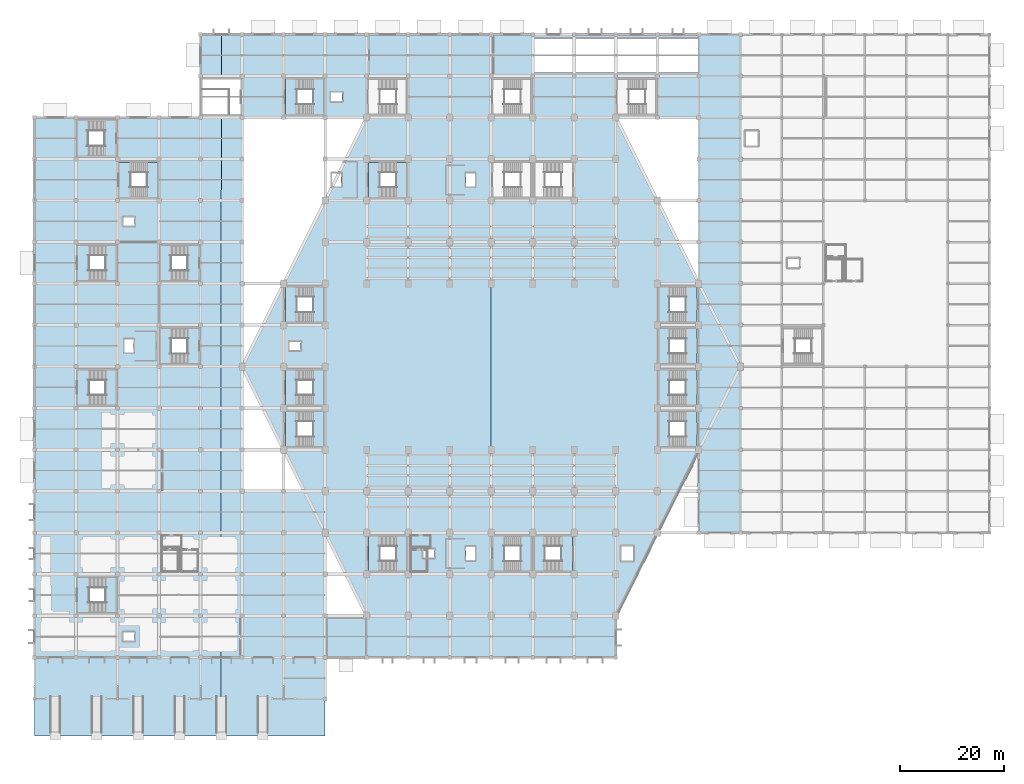
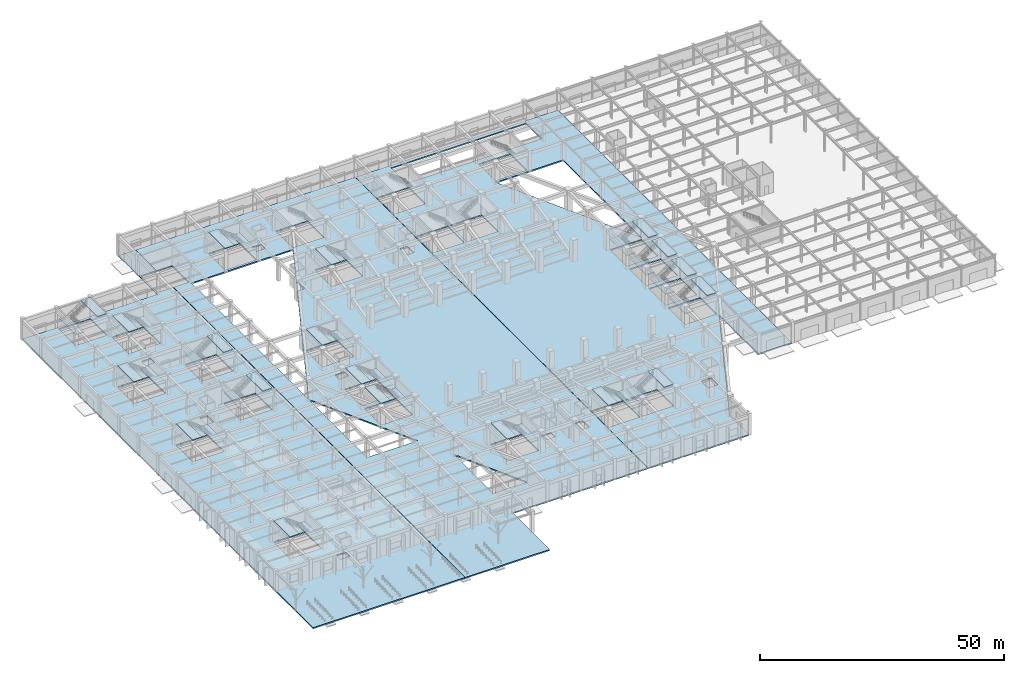
# One storey, part 15 of 39: 41 slabs, 19 elements without a shape of their own.
"""IFC4 building model written with IfcOpenShell, lengths in metres."""

from ifc_helpers import new_model, si_unit, direction, frame, origin, place, context, subcontext, project, spatial, polyline, outline, extrude, material, layer, layer_set, type_object, element, aggregate, save


model = new_model("IFC4")

# Units and contexts
model_context = context("Model", 3, precision=1e-05, world=origin(), true_north=direction((0.0, 1.0)))
body_context = subcontext(model_context, "Body", "Model", "MODEL_VIEW")
ifc_project = project(units=[si_unit("LENGTHUNIT", "METRE"), si_unit("AREAUNIT", "SQUARE_METRE"), si_unit("VOLUMEUNIT", "CUBIC_METRE"), si_unit("PLANEANGLEUNIT", "RADIAN"), si_unit("MASSUNIT", "GRAM", prefix="KILO")], contexts=[model_context])

# Site, building, storey
site_placement = place(None, origin())
site = spatial("IfcSite", under=ifc_project, at=site_placement, CompositionType="ELEMENT")
building_placement = place(site_placement, origin())
building = spatial("IfcBuilding", under=site, at=building_placement, Name="Tazarka Park Arena", CompositionType="ELEMENT")
storey_placement = place(building_placement, origin())
storey = spatial("IfcBuildingStorey", under=building, at=storey_placement, Name="L00", CompositionType="ELEMENT", Elevation=0.0)

# Stair, slabs
ifc_material_1 = material(Name="Precast concrete C40/50", Category="concrete")
stair_type_1 = type_object("IfcStairType", Name="STR-2400", PredefinedType="HALF_TURN_STAIR", material=ifc_material_1)
stair_1_placement = place(storey_placement, origin())
stair_1 = element("IfcStair", 1, at=stair_1_placement, inside=storey, type_object=stair_type_1, Name="Stair ST01 L00", PredefinedType="HALF_TURN_STAIR")
ifc_material_2 = material(Name="Precast concrete C40/50", Category="concrete")
ifc_layer_1 = layer(ifc_material_2, 0.219970703125, Name="Precast concrete C40/50")
ifc_layer_set_1 = layer_set([ifc_layer_1], Name="Precast concrete C40/50")
slab_type_1 = type_object("IfcSlabType", Name="LND-02", PredefinedType="LANDING", material=ifc_layer_set_1)
slab_1_placement = place(storey_placement, frame((0.0, 0.0, 2.47998046875)))
slab_1 = element("IfcSlab", 2, at=slab_1_placement, type_object=slab_type_1, Name="ST01-L00 landing 1", PredefinedType="LANDING", context=body_context, shape_type="SweptSolid", body=[
    extrude(outline(polyline([(13.6650390625, 56.610107421875), (15.68994140625, 56.610107421875), (15.68994140625, 63.389892578125), (13.6650390625, 63.389892578125), (13.6650390625, 56.610107421875)])), origin(), (0.0, 0.0, 1.0), 0.219970703125),
])
slab_2_placement = place(storey_placement, frame((0.0, 0.0, 5.179931640625)))
slab_2 = element("IfcSlab", 3, at=slab_2_placement, type_object=slab_type_1, Name="ST01-L00 landing 2", PredefinedType="LANDING", context=body_context, shape_type="SweptSolid", body=[
    extrude(outline(polyline([(8.31005859375, 56.610107421875), (10.534912109375, 56.610107421875), (10.534912109375, 63.389892578125), (8.31005859375, 63.389892578125), (8.31005859375, 56.610107421875)])), origin(), (0.0, 0.0, 1.0), 0.219970703125),
])
aggregate(stair_1, [slab_1, slab_2])

stair_2_placement = place(storey_placement, origin())
stair_2 = element("IfcStair", 4, at=stair_2_placement, inside=storey, type_object=stair_type_1, Name="Stair ST02 L00", PredefinedType="HALF_TURN_STAIR")
slab_3_placement = place(storey_placement, frame((0.0, 0.0, 2.47998046875)))
slab_3 = element("IfcSlab", 5, at=slab_3_placement, type_object=slab_type_1, Name="ST02-L00 landing 1", PredefinedType="LANDING", context=body_context, shape_type="SweptSolid", body=[
    extrude(outline(polyline([(13.6650390625, 80.610107421875), (15.68994140625, 80.610107421875), (15.68994140625, 87.389892578125), (13.6650390625, 87.389892578125), (13.6650390625, 80.610107421875)])), origin(), (0.0, 0.0, 1.0), 0.219970703125),
])
slab_4_placement = place(storey_placement, frame((0.0, 0.0, 5.179931640625)))
slab_4 = element("IfcSlab", 6, at=slab_4_placement, type_object=slab_type_1, Name="ST02-L00 landing 2", PredefinedType="LANDING", context=body_context, shape_type="SweptSolid", body=[
    extrude(outline(polyline([(8.31005859375, 80.610107421875), (10.534912109375, 80.610107421875), (10.534912109375, 87.389892578125), (8.31005859375, 87.389892578125), (8.31005859375, 80.610107421875)])), origin(), (0.0, 0.0, 1.0), 0.219970703125),
])
aggregate(stair_2, [slab_3, slab_4])

stair_3_placement = place(storey_placement, origin())
stair_3 = element("IfcStair", 7, at=stair_3_placement, inside=storey, type_object=stair_type_1, Name="Stair ST03 L00", PredefinedType="HALF_TURN_STAIR")
slab_5_placement = place(storey_placement, frame((0.0, 0.0, 2.47998046875)))
slab_5 = element("IfcSlab", 8, at=slab_5_placement, type_object=slab_type_1, Name="ST03-L00 landing 1", PredefinedType="LANDING", context=body_context, shape_type="SweptSolid", body=[
    extrude(outline(polyline([(21.6650390625, 96.610107421875), (23.68994140625, 96.610107421875), (23.68994140625, 103.389892578125), (21.6650390625, 103.389892578125), (21.6650390625, 96.610107421875)])), origin(), (0.0, 0.0, 1.0), 0.219970703125),
])
slab_6_placement = place(storey_placement, frame((0.0, 0.0, 5.179931640625)))
slab_6 = element("IfcSlab", 9, at=slab_6_placement, type_object=slab_type_1, Name="ST03-L00 landing 2", PredefinedType="LANDING", context=body_context, shape_type="SweptSolid", body=[
    extrude(outline(polyline([(16.31005859375, 96.610107421875), (18.534912109375, 96.610107421875), (18.534912109375, 103.389892578125), (16.31005859375, 103.389892578125), (16.31005859375, 96.610107421875)])), origin(), (0.0, 0.0, 1.0), 0.219970703125),
])
aggregate(stair_3, [slab_5, slab_6])

stair_4_placement = place(storey_placement, origin())
stair_4 = element("IfcStair", 10, at=stair_4_placement, inside=storey, type_object=stair_type_1, Name="Stair ST05 L00", PredefinedType="HALF_TURN_STAIR")
slab_7_placement = place(storey_placement, frame((0.0, 0.0, 2.47998046875)))
slab_7 = element("IfcSlab", 11, at=slab_7_placement, type_object=slab_type_1, Name="ST05-L00 landing 1", PredefinedType="LANDING", context=body_context, shape_type="SweptSolid", body=[
    extrude(outline(polyline([(53.6650390625, 112.610107421875), (55.68994140625, 112.610107421875), (55.68994140625, 119.389892578125), (53.6650390625, 119.389892578125), (53.6650390625, 112.610107421875)])), origin(), (0.0, 0.0, 1.0), 0.219970703125),
])
slab_8_placement = place(storey_placement, frame((0.0, 0.0, 5.179931640625)))
slab_8 = element("IfcSlab", 12, at=slab_8_placement, type_object=slab_type_1, Name="ST05-L00 landing 2", PredefinedType="LANDING", context=body_context, shape_type="SweptSolid", body=[
    extrude(outline(polyline([(48.31005859375, 112.610107421875), (50.534912109375, 112.610107421875), (50.534912109375, 119.389892578125), (48.31005859375, 119.389892578125), (48.31005859375, 112.610107421875)])), origin(), (0.0, 0.0, 1.0), 0.219970703125),
])
aggregate(stair_4, [slab_7, slab_8])

stair_5_placement = place(storey_placement, origin())
stair_5 = element("IfcStair", 13, at=stair_5_placement, inside=storey, type_object=stair_type_1, Name="Stair ST09 L00", PredefinedType="HALF_TURN_STAIR")
slab_9_placement = place(storey_placement, frame((0.0, 0.0, 2.47998046875)))
slab_9 = element("IfcSlab", 14, at=slab_9_placement, type_object=slab_type_1, Name="ST09-L00 landing 1", PredefinedType="LANDING", context=body_context, shape_type="SweptSolid", body=[
    extrude(outline(polyline([(69.6650390625, 24.610107421875), (71.68994140625, 24.610107421875), (71.68994140625, 31.389892578125), (69.6650390625, 31.389892578125), (69.6650390625, 24.610107421875)])), origin(), (0.0, 0.0, 1.0), 0.219970703125),
])
slab_10_placement = place(storey_placement, frame((0.0, 0.0, 5.179931640625)))
slab_10 = element("IfcSlab", 15, at=slab_10_placement, type_object=slab_type_1, Name="ST09-L00 landing 2", PredefinedType="LANDING", context=body_context, shape_type="SweptSolid", body=[
    extrude(outline(polyline([(64.31005859375, 24.610107421875), (66.534912109375, 24.610107421875), (66.534912109375, 31.389892578125), (64.31005859375, 31.389892578125), (64.31005859375, 24.610107421875)])), origin(), (0.0, 0.0, 1.0), 0.219970703125),
])
aggregate(stair_5, [slab_9, slab_10])

stair_6_placement = place(storey_placement, origin())
stair_6 = element("IfcStair", 16, at=stair_6_placement, inside=storey, type_object=stair_type_1, Name="Stair ST11 L00", PredefinedType="HALF_TURN_STAIR")
slab_11_placement = place(storey_placement, frame((0.0, 0.0, 2.47998046875)))
slab_11 = element("IfcSlab", 17, at=slab_11_placement, type_object=slab_type_1, Name="ST11-L00 landing 1", PredefinedType="LANDING", context=body_context, shape_type="SweptSolid", body=[
    extrude(outline(polyline([(96.31005859375, 24.610107421875), (98.3349609375, 24.610107421875), (98.3349609375, 31.389892578125), (96.31005859375, 31.389892578125), (96.31005859375, 24.610107421875)])), origin(), (0.0, 0.0, 1.0), 0.219970703125),
])
slab_12_placement = place(storey_placement, frame((0.0, 0.0, 5.179931640625)))
slab_12 = element("IfcSlab", 18, at=slab_12_placement, type_object=slab_type_1, Name="ST11-L00 landing 2", PredefinedType="LANDING", context=body_context, shape_type="SweptSolid", body=[
    extrude(outline(polyline([(101.465087890625, 24.610107421875), (103.68994140625, 24.610107421875), (103.68994140625, 31.389892578125), (101.465087890625, 31.389892578125), (101.465087890625, 24.610107421875)])), origin(), (0.0, 0.0, 1.0), 0.219970703125),
])
aggregate(stair_6, [slab_11, slab_12])

stair_7_placement = place(storey_placement, origin())
stair_7 = element("IfcStair", 19, at=stair_7_placement, inside=storey, type_object=stair_type_1, Name="Stair ST12 L00", PredefinedType="HALF_TURN_STAIR")
slab_13_placement = place(storey_placement, frame((0.0, 0.0, 2.47998046875)))
slab_13 = element("IfcSlab", 20, at=slab_13_placement, type_object=slab_type_1, Name="ST12-L00 landing 1", PredefinedType="LANDING", context=body_context, shape_type="SweptSolid", body=[
    extrude(outline(polyline([(120.31005859375, 56.610107421875), (122.3349609375, 56.610107421875), (122.3349609375, 63.389892578125), (120.31005859375, 63.389892578125), (120.31005859375, 56.610107421875)])), origin(), (0.0, 0.0, 1.0), 0.219970703125),
])
slab_14_placement = place(storey_placement, frame((0.0, 0.0, 5.179931640625)))
slab_14 = element("IfcSlab", 21, at=slab_14_placement, type_object=slab_type_1, Name="ST12-L00 landing 2", PredefinedType="LANDING", context=body_context, shape_type="SweptSolid", body=[
    extrude(outline(polyline([(125.465087890625, 56.610107421875), (127.68994140625, 56.610107421875), (127.68994140625, 63.389892578125), (125.465087890625, 63.389892578125), (125.465087890625, 56.610107421875)])), origin(), (0.0, 0.0, 1.0), 0.219970703125),
])
aggregate(stair_7, [slab_13, slab_14])

stair_8_placement = place(storey_placement, origin())
stair_8 = element("IfcStair", 22, at=stair_8_placement, inside=storey, type_object=stair_type_1, Name="Stair ST13 L00", PredefinedType="HALF_TURN_STAIR")
slab_15_placement = place(storey_placement, frame((0.0, 0.0, 2.47998046875)))
slab_15 = element("IfcSlab", 23, at=slab_15_placement, type_object=slab_type_1, Name="ST13-L00 landing 1", PredefinedType="LANDING", context=body_context, shape_type="SweptSolid", body=[
    extrude(outline(polyline([(53.6650390625, 56.610107421875), (55.68994140625, 56.610107421875), (55.68994140625, 63.389892578125), (53.6650390625, 63.389892578125), (53.6650390625, 56.610107421875)])), origin(), (0.0, 0.0, 1.0), 0.219970703125),
])
slab_16_placement = place(storey_placement, frame((0.0, 0.0, 5.179931640625)))
slab_16 = element("IfcSlab", 24, at=slab_16_placement, type_object=slab_type_1, Name="ST13-L00 landing 2", PredefinedType="LANDING", context=body_context, shape_type="SweptSolid", body=[
    extrude(outline(polyline([(48.31005859375, 56.610107421875), (50.534912109375, 56.610107421875), (50.534912109375, 63.389892578125), (48.31005859375, 63.389892578125), (48.31005859375, 56.610107421875)])), origin(), (0.0, 0.0, 1.0), 0.219970703125),
])
aggregate(stair_8, [slab_15, slab_16])

stair_9_placement = place(storey_placement, origin())
stair_9 = element("IfcStair", 25, at=stair_9_placement, inside=storey, type_object=stair_type_1, Name="Stair ST14 L00", PredefinedType="HALF_TURN_STAIR")
slab_17_placement = place(storey_placement, frame((0.0, 0.0, 2.47998046875)))
slab_17 = element("IfcSlab", 26, at=slab_17_placement, type_object=slab_type_1, Name="ST14-L00 landing 1", PredefinedType="LANDING", context=body_context, shape_type="SweptSolid", body=[
    extrude(outline(polyline([(69.6650390625, 96.610107421875), (71.68994140625, 96.610107421875), (71.68994140625, 103.389892578125), (69.6650390625, 103.389892578125), (69.6650390625, 96.610107421875)])), origin(), (0.0, 0.0, 1.0), 0.219970703125),
])
slab_18_placement = place(storey_placement, frame((0.0, 0.0, 5.179931640625)))
slab_18 = element("IfcSlab", 27, at=slab_18_placement, type_object=slab_type_1, Name="ST14-L00 landing 2", PredefinedType="LANDING", context=body_context, shape_type="SweptSolid", body=[
    extrude(outline(polyline([(64.31005859375, 96.610107421875), (66.534912109375, 96.610107421875), (66.534912109375, 103.389892578125), (64.31005859375, 103.389892578125), (64.31005859375, 96.610107421875)])), origin(), (0.0, 0.0, 1.0), 0.219970703125),
])
aggregate(stair_9, [slab_17, slab_18])

stair_10_placement = place(storey_placement, origin())
stair_10 = element("IfcStair", 28, at=stair_10_placement, inside=storey, type_object=stair_type_1, Name="Stair ST16 L00", PredefinedType="HALF_TURN_STAIR")
slab_19_placement = place(storey_placement, frame((0.0, 0.0, 2.47998046875)))
slab_19 = element("IfcSlab", 29, at=slab_19_placement, type_object=slab_type_1, Name="ST16-L00 landing 1", PredefinedType="LANDING", context=body_context, shape_type="SweptSolid", body=[
    extrude(outline(polyline([(120.31005859375, 64.610107421875), (122.3349609375, 64.610107421875), (122.3349609375, 71.389892578125), (120.31005859375, 71.389892578125), (120.31005859375, 64.610107421875)])), origin(), (0.0, 0.0, 1.0), 0.219970703125),
])
slab_20_placement = place(storey_placement, frame((0.0, 0.0, 5.179931640625)))
slab_20 = element("IfcSlab", 30, at=slab_20_placement, type_object=slab_type_1, Name="ST16-L00 landing 2", PredefinedType="LANDING", context=body_context, shape_type="SweptSolid", body=[
    extrude(outline(polyline([(125.465087890625, 64.610107421875), (127.68994140625, 64.610107421875), (127.68994140625, 71.389892578125), (125.465087890625, 71.389892578125), (125.465087890625, 64.610107421875)])), origin(), (0.0, 0.0, 1.0), 0.219970703125),
])
aggregate(stair_10, [slab_19, slab_20])

stair_11_placement = place(storey_placement, origin())
stair_11 = element("IfcStair", 31, at=stair_11_placement, inside=storey, type_object=stair_type_1, Name="Stair ST17 L00", PredefinedType="HALF_TURN_STAIR")
slab_21_placement = place(storey_placement, frame((0.0, 0.0, 2.47998046875)))
slab_21 = element("IfcSlab", 32, at=slab_21_placement, type_object=slab_type_1, Name="ST17-L00 landing 1", PredefinedType="LANDING", context=body_context, shape_type="SweptSolid", body=[
    extrude(outline(polyline([(13.6650390625, 16.610107421875), (15.68994140625, 16.610107421875), (15.68994140625, 23.389892578125), (13.6650390625, 23.389892578125), (13.6650390625, 16.610107421875)])), origin(), (0.0, 0.0, 1.0), 0.219970703125),
])
slab_22_placement = place(storey_placement, frame((0.0, 0.0, 5.179931640625)))
slab_22 = element("IfcSlab", 33, at=slab_22_placement, type_object=slab_type_1, Name="ST17-L00 landing 2", PredefinedType="LANDING", context=body_context, shape_type="SweptSolid", body=[
    extrude(outline(polyline([(8.31005859375, 16.610107421875), (10.534912109375, 16.610107421875), (10.534912109375, 23.389892578125), (8.31005859375, 23.389892578125), (8.31005859375, 16.610107421875)])), origin(), (0.0, 0.0, 1.0), 0.219970703125),
])
aggregate(stair_11, [slab_21, slab_22])

ifc_material_3 = material(Name="Precast concrete C40/50", Category="concrete")
stair_type_2 = type_object("IfcStairType", Name="STR-1800", PredefinedType="HALF_TURN_STAIR", material=ifc_material_3)
stair_12_placement = place(storey_placement, origin())
stair_12 = element("IfcStair", 34, at=stair_12_placement, inside=storey, type_object=stair_type_2, Name="Vomitory Stair ST19 L00", PredefinedType="HALF_TURN_STAIR")
slab_23_placement = place(storey_placement, frame((0.0, 0.0, 2.47998046875)))
slab_23 = element("IfcSlab", 35, at=slab_23_placement, type_object=slab_type_1, Name="ST19-L00 landing 1", PredefinedType="LANDING", context=body_context, shape_type="SweptSolid", body=[
    extrude(outline(polyline([(53.6650390625, 48.610107421875), (55.68994140625, 48.610107421875), (55.68994140625, 55.389892578125), (53.6650390625, 55.389892578125), (53.6650390625, 48.610107421875)])), origin(), (0.0, 0.0, 1.0), 0.219970703125),
])
slab_24_placement = place(storey_placement, frame((0.0, 0.0, 5.179931640625)))
slab_24 = element("IfcSlab", 36, at=slab_24_placement, type_object=slab_type_1, Name="ST19-L00 landing 2", PredefinedType="LANDING", context=body_context, shape_type="SweptSolid", body=[
    extrude(outline(polyline([(48.31005859375, 48.610107421875), (50.534912109375, 48.610107421875), (50.534912109375, 55.389892578125), (48.31005859375, 55.389892578125), (48.31005859375, 48.610107421875)])), origin(), (0.0, 0.0, 1.0), 0.219970703125),
])
aggregate(stair_12, [slab_23, slab_24])

stair_13_placement = place(storey_placement, origin())
stair_13 = element("IfcStair", 37, at=stair_13_placement, inside=storey, type_object=stair_type_2, Name="Vomitory Stair ST20 L00", PredefinedType="HALF_TURN_STAIR")
slab_25_placement = place(storey_placement, frame((0.0, 0.0, 2.47998046875)))
slab_25 = element("IfcSlab", 38, at=slab_25_placement, type_object=slab_type_1, Name="ST20-L00 landing 1", PredefinedType="LANDING", context=body_context, shape_type="SweptSolid", body=[
    extrude(outline(polyline([(53.6650390625, 72.610107421875), (55.68994140625, 72.610107421875), (55.68994140625, 79.389892578125), (53.6650390625, 79.389892578125), (53.6650390625, 72.610107421875)])), origin(), (0.0, 0.0, 1.0), 0.219970703125),
])
slab_26_placement = place(storey_placement, frame((0.0, 0.0, 5.179931640625)))
slab_26 = element("IfcSlab", 39, at=slab_26_placement, type_object=slab_type_1, Name="ST20-L00 landing 2", PredefinedType="LANDING", context=body_context, shape_type="SweptSolid", body=[
    extrude(outline(polyline([(48.31005859375, 72.610107421875), (50.534912109375, 72.610107421875), (50.534912109375, 79.389892578125), (48.31005859375, 79.389892578125), (48.31005859375, 72.610107421875)])), origin(), (0.0, 0.0, 1.0), 0.219970703125),
])
aggregate(stair_13, [slab_25, slab_26])

stair_14_placement = place(storey_placement, origin())
stair_14 = element("IfcStair", 40, at=stair_14_placement, inside=storey, type_object=stair_type_2, Name="Vomitory Stair ST21 L00", PredefinedType="HALF_TURN_STAIR")
slab_27_placement = place(storey_placement, frame((0.0, 0.0, 2.47998046875)))
slab_27 = element("IfcSlab", 41, at=slab_27_placement, type_object=slab_type_1, Name="ST21-L00 landing 1", PredefinedType="LANDING", context=body_context, shape_type="SweptSolid", body=[
    extrude(outline(polyline([(120.31005859375, 48.610107421875), (122.3349609375, 48.610107421875), (122.3349609375, 55.389892578125), (120.31005859375, 55.389892578125), (120.31005859375, 48.610107421875)])), origin(), (0.0, 0.0, 1.0), 0.219970703125),
])
slab_28_placement = place(storey_placement, frame((0.0, 0.0, 5.179931640625)))
slab_28 = element("IfcSlab", 42, at=slab_28_placement, type_object=slab_type_1, Name="ST21-L00 landing 2", PredefinedType="LANDING", context=body_context, shape_type="SweptSolid", body=[
    extrude(outline(polyline([(125.465087890625, 48.610107421875), (127.68994140625, 48.610107421875), (127.68994140625, 55.389892578125), (125.465087890625, 55.389892578125), (125.465087890625, 48.610107421875)])), origin(), (0.0, 0.0, 1.0), 0.219970703125),
])
aggregate(stair_14, [slab_27, slab_28])

stair_15_placement = place(storey_placement, origin())
stair_15 = element("IfcStair", 43, at=stair_15_placement, inside=storey, type_object=stair_type_2, Name="Vomitory Stair ST22 L00", PredefinedType="HALF_TURN_STAIR")
slab_29_placement = place(storey_placement, frame((0.0, 0.0, 2.47998046875)))
slab_29 = element("IfcSlab", 44, at=slab_29_placement, type_object=slab_type_1, Name="ST22-L00 landing 1", PredefinedType="LANDING", context=body_context, shape_type="SweptSolid", body=[
    extrude(outline(polyline([(120.31005859375, 72.610107421875), (122.3349609375, 72.610107421875), (122.3349609375, 79.389892578125), (120.31005859375, 79.389892578125), (120.31005859375, 72.610107421875)])), origin(), (0.0, 0.0, 1.0), 0.219970703125),
])
slab_30_placement = place(storey_placement, frame((0.0, 0.0, 5.179931640625)))
slab_30 = element("IfcSlab", 45, at=slab_30_placement, type_object=slab_type_1, Name="ST22-L00 landing 2", PredefinedType="LANDING", context=body_context, shape_type="SweptSolid", body=[
    extrude(outline(polyline([(125.465087890625, 72.610107421875), (127.68994140625, 72.610107421875), (127.68994140625, 79.389892578125), (125.465087890625, 79.389892578125), (125.465087890625, 72.610107421875)])), origin(), (0.0, 0.0, 1.0), 0.219970703125),
])
aggregate(stair_15, [slab_29, slab_30])

stair_16_placement = place(storey_placement, origin())
stair_16 = element("IfcStair", 46, at=stair_16_placement, inside=storey, type_object=stair_type_2, Name="Vomitory Stair ST23 L00", PredefinedType="HALF_TURN_STAIR")
slab_31_placement = place(storey_placement, frame((0.0, 0.0, 2.47998046875)))
slab_31 = element("IfcSlab", 47, at=slab_31_placement, type_object=slab_type_1, Name="ST23-L00 landing 1", PredefinedType="LANDING", context=body_context, shape_type="SweptSolid", body=[
    extrude(outline(polyline([(93.6650390625, 24.610107421875), (95.68994140625, 24.610107421875), (95.68994140625, 31.389892578125), (93.6650390625, 31.389892578125), (93.6650390625, 24.610107421875)])), origin(), (0.0, 0.0, 1.0), 0.219970703125),
])
slab_32_placement = place(storey_placement, frame((0.0, 0.0, 5.179931640625)))
slab_32 = element("IfcSlab", 48, at=slab_32_placement, type_object=slab_type_1, Name="ST23-L00 landing 2", PredefinedType="LANDING", context=body_context, shape_type="SweptSolid", body=[
    extrude(outline(polyline([(88.31005859375, 24.610107421875), (90.534912109375, 24.610107421875), (90.534912109375, 31.389892578125), (88.31005859375, 31.389892578125), (88.31005859375, 24.610107421875)])), origin(), (0.0, 0.0, 1.0), 0.219970703125),
])
aggregate(stair_16, [slab_31, slab_32])

stair_17_placement = place(storey_placement, origin())
stair_17 = element("IfcStair", 49, at=stair_17_placement, inside=storey, type_object=stair_type_2, Name="Vomitory Stair ST24 L00", PredefinedType="HALF_TURN_STAIR")
slab_33_placement = place(storey_placement, frame((0.0, 0.0, 2.47998046875)))
slab_33 = element("IfcSlab", 50, at=slab_33_placement, type_object=slab_type_1, Name="ST24-L00 landing 1", PredefinedType="LANDING", context=body_context, shape_type="SweptSolid", body=[
    extrude(outline(polyline([(24.31005859375, 64.610107421875), (26.3349609375, 64.610107421875), (26.3349609375, 71.389892578125), (24.31005859375, 71.389892578125), (24.31005859375, 64.610107421875)])), origin(), (0.0, 0.0, 1.0), 0.219970703125),
])
slab_34_placement = place(storey_placement, frame((0.0, 0.0, 5.179931640625)))
slab_34 = element("IfcSlab", 51, at=slab_34_placement, type_object=slab_type_1, Name="ST24-L00 landing 2", PredefinedType="LANDING", context=body_context, shape_type="SweptSolid", body=[
    extrude(outline(polyline([(29.465087890625, 64.610107421875), (31.68994140625, 64.610107421875), (31.68994140625, 71.389892578125), (29.465087890625, 71.389892578125), (29.465087890625, 64.610107421875)])), origin(), (0.0, 0.0, 1.0), 0.219970703125),
])
aggregate(stair_17, [slab_33, slab_34])

stair_18_placement = place(storey_placement, origin())
stair_18 = element("IfcStair", 52, at=stair_18_placement, inside=storey, type_object=stair_type_2, Name="Vomitory Stair ST25 L00", PredefinedType="HALF_TURN_STAIR")
slab_35_placement = place(storey_placement, frame((0.0, 0.0, 2.47998046875)))
slab_35 = element("IfcSlab", 53, at=slab_35_placement, type_object=slab_type_1, Name="ST25-L00 landing 1", PredefinedType="LANDING", context=body_context, shape_type="SweptSolid", body=[
    extrude(outline(polyline([(8.31005859375, 104.610107421875), (10.3349609375, 104.610107421875), (10.3349609375, 111.389892578125), (8.31005859375, 111.389892578125), (8.31005859375, 104.610107421875)])), origin(), (0.0, 0.0, 1.0), 0.219970703125),
])
slab_36_placement = place(storey_placement, frame((0.0, 0.0, 5.179931640625)))
slab_36 = element("IfcSlab", 54, at=slab_36_placement, type_object=slab_type_1, Name="ST25-L00 landing 2", PredefinedType="LANDING", context=body_context, shape_type="SweptSolid", body=[
    extrude(outline(polyline([(13.465087890625, 104.610107421875), (15.68994140625, 104.610107421875), (15.68994140625, 111.389892578125), (13.465087890625, 111.389892578125), (13.465087890625, 104.610107421875)])), origin(), (0.0, 0.0, 1.0), 0.219970703125),
])
aggregate(stair_18, [slab_35, slab_36])

stair_19_placement = place(storey_placement, origin())
stair_19 = element("IfcStair", 55, at=stair_19_placement, inside=storey, type_object=stair_type_2, Name="Vomitory Stair ST26 L00", PredefinedType="HALF_TURN_STAIR")
slab_37_placement = place(storey_placement, frame((0.0, 0.0, 2.47998046875)))
slab_37 = element("IfcSlab", 56, at=slab_37_placement, type_object=slab_type_1, Name="ST26-L00 landing 1", PredefinedType="LANDING", context=body_context, shape_type="SweptSolid", body=[
    extrude(outline(polyline([(24.31005859375, 80.610107421875), (26.3349609375, 80.610107421875), (26.3349609375, 87.389892578125), (24.31005859375, 87.389892578125), (24.31005859375, 80.610107421875)])), origin(), (0.0, 0.0, 1.0), 0.219970703125),
])
slab_38_placement = place(storey_placement, frame((0.0, 0.0, 5.179931640625)))
slab_38 = element("IfcSlab", 57, at=slab_38_placement, type_object=slab_type_1, Name="ST26-L00 landing 2", PredefinedType="LANDING", context=body_context, shape_type="SweptSolid", body=[
    extrude(outline(polyline([(29.465087890625, 80.610107421875), (31.68994140625, 80.610107421875), (31.68994140625, 87.389892578125), (29.465087890625, 87.389892578125), (29.465087890625, 80.610107421875)])), origin(), (0.0, 0.0, 1.0), 0.219970703125),
])
aggregate(stair_19, [slab_37, slab_38])

# Slabs
ifc_material_4 = material(Name="Concrete C35/45", Category="concrete")
ifc_layer_2 = layer(ifc_material_4, 0.320068359375, Name="Concrete C35/45")
ifc_layer_set_2 = layer_set([ifc_layer_2], Name="Concrete C35/45")
slab_type_2 = type_object("IfcSlabType", Name="SLB-SL-03", PredefinedType="FLOOR", material=ifc_layer_set_2)
slab_39_placement = place(storey_placement, frame((0.0, 0.0, -0.320068359375)))
element("IfcSlab", 58, at=slab_39_placement, inside=storey, type_object=slab_type_2, Name="FLR-L00-W-01", PredefinedType="FLOOR", context=body_context, shape_type="SweptSolid", body=[
    extrude(outline(polyline([(0.0, 111.969970703125), (0.030029296875, 112.0), (32.0, 112.0), (32.00048828125, 127.975830078125), (35.977783203125, 127.9814453125), (35.977783203125, 119.41845703125), (32.300048828125, 119.3994140625), (32.300048828125, 112.60009765625), (35.949951171875, 112.60009765625), (35.97998046875, 112.570068359375), (35.958740234375, -7.19873046875), (0.001220703125, -7.1787109375), (0.0, 111.969970703125)]), holes=[polyline([(24.300048828125, 64.60009765625), (31.699951171875, 64.60009765625), (31.699951171875, 71.39990234375), (24.300048828125, 71.39990234375), (24.300048828125, 64.60009765625)]), polyline([(24.300048828125, 80.60009765625), (31.699951171875, 80.60009765625), (31.699951171875, 87.39990234375), (24.300048828125, 87.39990234375), (24.300048828125, 80.60009765625)]), polyline([(16.300048828125, 96.60009765625), (23.699951171875, 96.60009765625), (23.699951171875, 103.39990234375), (16.300048828125, 103.39990234375), (16.300048828125, 96.60009765625)]), polyline([(17.110107421875, 11.159912109375), (19.2900390625, 11.159912109375), (19.2900390625, 12.840087890625), (17.110107421875, 12.840087890625), (17.110107421875, 11.159912109375)]), polyline([(17.110107421875, 91.159912109375), (19.2900390625, 91.159912109375), (19.2900390625, 92.840087890625), (17.110107421875, 92.840087890625), (17.110107421875, 91.159912109375)]), polyline([(17.31005859375, 66.7099609375), (19.090087890625, 66.7099609375), (19.090087890625, 69.2900390625), (17.31005859375, 69.2900390625), (17.31005859375, 66.7099609375)]), polyline([(8.300048828125, 56.60009765625), (15.699951171875, 56.60009765625), (15.699951171875, 63.39990234375), (8.300048828125, 63.39990234375), (8.300048828125, 56.60009765625)]), polyline([(8.300048828125, 16.60009765625), (15.699951171875, 16.60009765625), (15.699951171875, 23.39990234375), (8.300048828125, 23.39990234375), (8.300048828125, 16.60009765625)]), polyline([(8.300048828125, 80.60009765625), (15.699951171875, 80.60009765625), (15.699951171875, 87.39990234375), (8.300048828125, 87.39990234375), (8.300048828125, 80.60009765625)]), polyline([(8.300048828125, 104.60009765625), (15.699951171875, 104.60009765625), (15.699951171875, 111.39990234375), (8.300048828125, 111.39990234375), (8.300048828125, 104.60009765625)])]), origin(), (0.0, 0.0, 1.0), 0.320068359375),
])
slab_40_placement = place(storey_placement, frame((0.0, 0.0, -0.320068359375)))
element("IfcSlab", 59, at=slab_40_placement, inside=storey, type_object=slab_type_2, Name="FLR-L00-BW-01", PredefinedType="FLOOR", context=body_context, shape_type="SweptSolid", body=[
    extrude(outline(polyline([(39.699951171875, 112.60009765625), (39.699951171875, 119.39990234375), (36.0205078125, 119.424072265625), (36.041259765625, 127.998779296875), (87.978759765625, 127.978759765625), (87.9794921875, 8.024169921875), (56.0, 8.0), (56.0, -7.169921875), (55.972900390625, -7.199951171875), (36.050048828125, -7.199951171875), (36.02001953125, -7.1728515625), (36.02001953125, 112.570068359375), (36.050048828125, 112.60009765625), (39.699951171875, 112.60009765625)]), holes=[polyline([(83.110107421875, 26.7099609375), (84.889892578125, 26.7099609375), (84.889892578125, 29.2900390625), (83.110107421875, 29.2900390625), (83.110107421875, 26.7099609375)]), polyline([(83.110107421875, 98.7099609375), (84.889892578125, 98.7099609375), (84.889892578125, 101.2900390625), (83.110107421875, 101.2900390625), (83.110107421875, 98.7099609375)]), polyline([(74.909912109375, 27.159912109375), (77.090087890625, 27.159912109375), (77.090087890625, 28.840087890625), (74.909912109375, 28.840087890625), (74.909912109375, 27.159912109375)]), polyline([(64.300048828125, 24.60009765625), (71.699951171875, 24.60009765625), (71.699951171875, 31.39990234375), (64.300048828125, 31.39990234375), (64.300048828125, 24.60009765625)]), polyline([(64.300048828125, 96.60009765625), (71.699951171875, 96.60009765625), (71.699951171875, 103.39990234375), (64.300048828125, 103.39990234375), (64.300048828125, 96.60009765625)]), polyline([(64.300048828125, 112.60009765625), (71.699951171875, 112.60009765625), (71.699951171875, 119.39990234375), (64.300048828125, 119.39990234375), (64.300048828125, 112.60009765625)]), polyline([(40.0, 40.000732421875), (52.0, 40.0), (40.00390625, 64.004638671875), (57.3466796875, 98.693359375), (59.090087890625, 98.7099609375), (59.090087890625, 101.2900390625), (58.690673828125, 101.2900390625), (58.66552734375, 101.330810546875), (64.0, 112.0), (40.0, 112.0), (40.0, 40.000732421875)]), polyline([(56.0, 32.0), (56.0, 16.0), (64.0, 16.0), (56.0, 32.0)]), polyline([(57.110107421875, 115.159912109375), (59.2900390625, 115.159912109375), (59.2900390625, 116.840087890625), (57.110107421875, 116.840087890625), (57.110107421875, 115.159912109375)]), polyline([(48.300048828125, 72.60009765625), (55.699951171875, 72.60009765625), (55.699951171875, 79.39990234375), (48.300048828125, 79.39990234375), (48.300048828125, 72.60009765625)]), polyline([(48.300048828125, 112.60009765625), (55.699951171875, 112.60009765625), (55.699951171875, 119.39990234375), (48.300048828125, 119.39990234375), (48.300048828125, 112.60009765625)]), polyline([(48.300048828125, 48.60009765625), (55.699951171875, 48.60009765625), (55.699951171875, 55.39990234375), (48.300048828125, 55.39990234375), (48.300048828125, 48.60009765625)]), polyline([(48.300048828125, 56.60009765625), (55.699951171875, 56.60009765625), (55.699951171875, 63.39990234375), (48.300048828125, 63.39990234375), (48.300048828125, 56.60009765625)]), polyline([(49.110107421875, 67.159912109375), (51.2900390625, 67.159912109375), (51.2900390625, 68.840087890625), (49.110107421875, 68.840087890625), (49.110107421875, 67.159912109375)])]), origin(), (0.0, 0.0, 1.0), 0.320068359375),
])
slab_41_placement = place(storey_placement, frame((0.0, 0.0, -0.320068359375)))
element("IfcSlab", 60, at=slab_41_placement, inside=storey, type_object=slab_type_2, Name="FLR-L00-BE-01", PredefinedType="FLOOR", context=body_context, shape_type="SweptSolid", body=[
    extrude(outline(polyline([(112.0, 16.0), (111.978759765625, 8.001220703125), (88.021240234375, 8.021240234375), (88.044189453125, 127.99951171875), (135.9794921875, 127.975830078125), (135.9794921875, 32.024169921875), (128.00341796875, 32.015869140625), (128.0, 48.0), (112.0, 16.0)]), holes=[polyline([(128.0, 112.0), (112.000244140625, 111.999267578125), (128.0, 80.0), (128.0, 112.0)]), polyline([(96.0, 120.800048828125), (128.0, 120.800048828125), (128.0, 127.199951171875), (96.0, 127.199951171875), (96.0, 120.800048828125)]), polyline([(120.300048828125, 48.60009765625), (127.699951171875, 48.60009765625), (127.699951171875, 55.39990234375), (120.300048828125, 55.39990234375), (120.300048828125, 48.60009765625)]), polyline([(120.300048828125, 56.60009765625), (127.699951171875, 56.60009765625), (127.699951171875, 63.39990234375), (120.300048828125, 63.39990234375), (120.300048828125, 56.60009765625)]), polyline([(120.300048828125, 64.60009765625), (127.699951171875, 64.60009765625), (127.699951171875, 71.39990234375), (120.300048828125, 71.39990234375), (120.300048828125, 64.60009765625)]), polyline([(120.300048828125, 72.60009765625), (127.699951171875, 72.60009765625), (127.699951171875, 79.39990234375), (120.300048828125, 79.39990234375), (120.300048828125, 72.60009765625)]), polyline([(112.300048828125, 112.60009765625), (119.699951171875, 112.60009765625), (119.699951171875, 119.39990234375), (112.300048828125, 119.39990234375), (112.300048828125, 112.60009765625)]), polyline([(113.010009765625, 26.610107421875), (115.389892578125, 26.610107421875), (115.389892578125, 29.389892578125), (113.010009765625, 29.389892578125), (113.010009765625, 26.610107421875)]), polyline([(96.300048828125, 24.60009765625), (103.699951171875, 24.60009765625), (103.699951171875, 31.39990234375), (96.300048828125, 31.39990234375), (96.300048828125, 24.60009765625)]), polyline([(96.300048828125, 96.60009765625), (103.699951171875, 96.60009765625), (103.699951171875, 103.39990234375), (96.300048828125, 103.39990234375), (96.300048828125, 96.60009765625)]), polyline([(88.300048828125, 24.60009765625), (95.699951171875, 24.60009765625), (95.699951171875, 31.39990234375), (88.300048828125, 31.39990234375), (88.300048828125, 24.60009765625)]), polyline([(88.300048828125, 96.60009765625), (95.699951171875, 96.60009765625), (95.699951171875, 103.39990234375), (88.300048828125, 103.39990234375), (88.300048828125, 96.60009765625)]), polyline([(88.300048828125, 112.60009765625), (95.699951171875, 112.60009765625), (95.699951171875, 119.39990234375), (88.300048828125, 119.39990234375), (88.300048828125, 112.60009765625)])]), origin(), (0.0, 0.0, 1.0), 0.320068359375),
])

save(model, "model.ifc")
